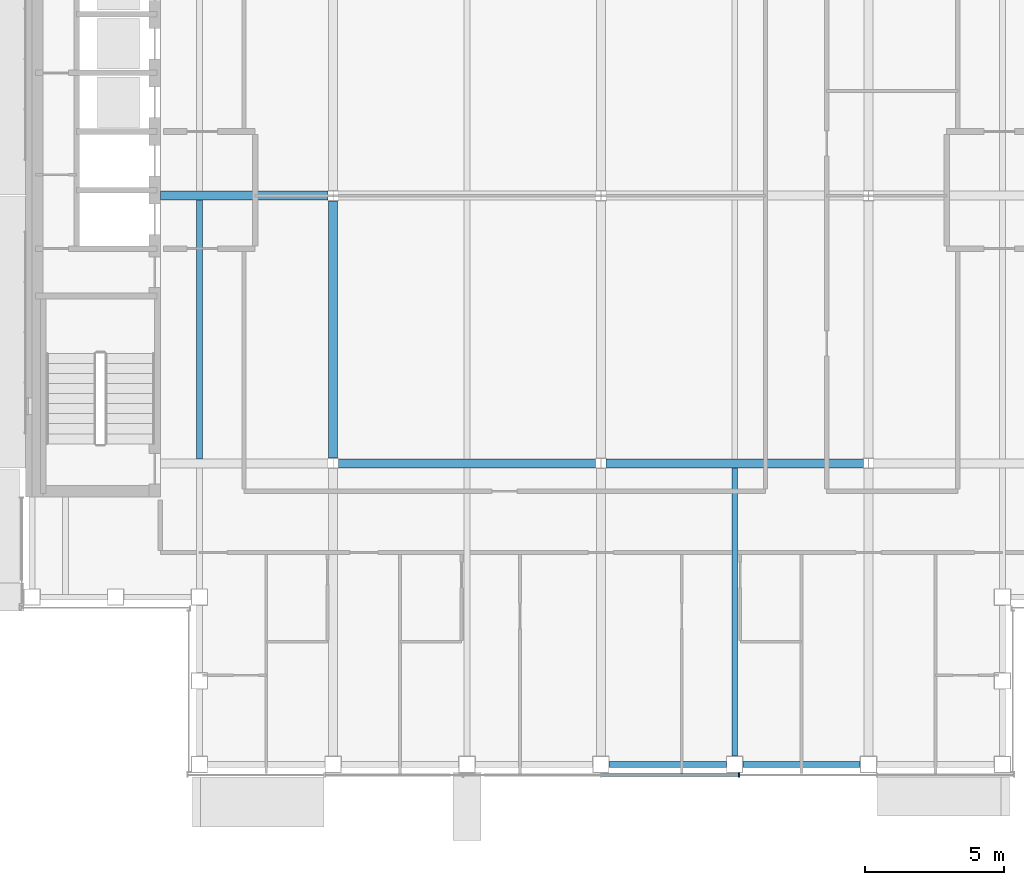
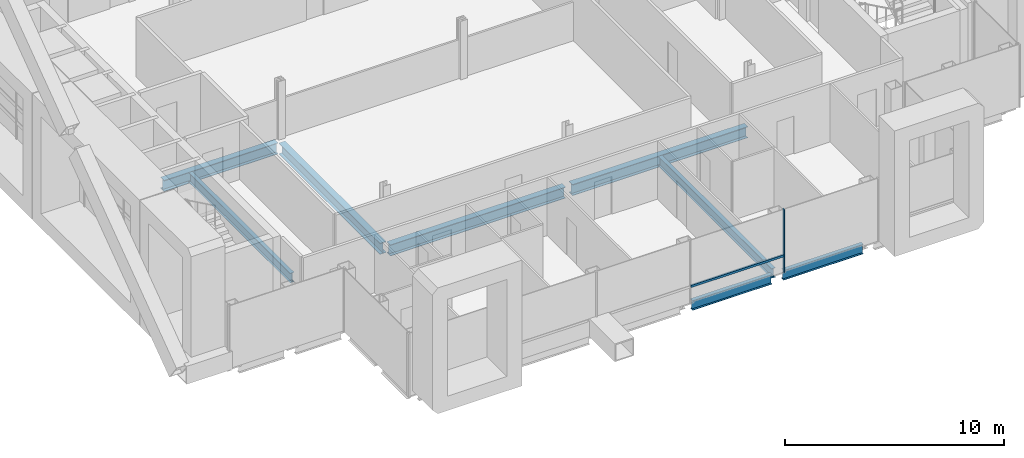
# One storey, part 5 of 23: 8 beams, 2 members, 1 element without a shape of its own.
"""IFC4 building model written with IfcOpenShell, lengths in metres."""

from ifc_helpers import new_model, si_unit, direction, frame, origin, origin_2d, place, context, subcontext, project, spatial, rectangle, i_section, extrude, material, material_profile, profile_set, type_object, element, aggregate, save


model = new_model("IFC4")

# Units and contexts
model_context = context("Model", 3, precision=1e-05, world=origin(), true_north=direction((0.0, 1.0)))
body_context = subcontext(model_context, "Body", "Model", "MODEL_VIEW")
ifc_project = project(units=[si_unit("LENGTHUNIT", "METRE"), si_unit("AREAUNIT", "SQUARE_METRE"), si_unit("VOLUMEUNIT", "CUBIC_METRE"), si_unit("PLANEANGLEUNIT", "RADIAN"), si_unit("MASSUNIT", "GRAM", prefix="KILO")], contexts=[model_context])

# Site, building, storey
site_placement = place(None, origin())
site = spatial("IfcSite", under=ifc_project, at=site_placement, CompositionType="ELEMENT")
building_placement = place(site_placement, origin())
building = spatial("IfcBuilding", under=site, at=building_placement, Name="Cobrizo Arcos Hotel Tower", CompositionType="ELEMENT")
storey_placement = place(building_placement, frame((0.0, 0.0, 262.0)))
storey = spatial("IfcBuildingStorey", under=building, at=storey_placement, Name="L69", CompositionType="ELEMENT", Elevation=262.0)

# Curtain wall, members
ifc_material_1 = material(Name="Aluminium 6063-T6 anodised bronze", Category="aluminium")
curtain_wall_type = type_object("IfcCurtainWallType", Name="CW-A guest facade", PredefinedType="NOTDEFINED", material=ifc_material_1)
curtain_wall_placement = place(storey_placement, origin())
curtain_wall = element("IfcCurtainWall", 1, at=curtain_wall_placement, inside=storey, type_object=curtain_wall_type, Name="CW-A L69 S face", PredefinedType="NOTDEFINED")
ifc_material_profile_1 = material_profile(ifc_material_1, rectangle(XDim=0.14990234375, YDim=0.06005859375, at=origin_2d()), Name="CW-A mullion 150x60")
ifc_profile_set_1 = profile_set([ifc_material_profile_1], Name="Aluminium 6063-T6 anodised bronze")
member_type_1 = type_object("IfcMemberType", Name="CW-A mullion 150x60", PredefinedType="MULLION", material=ifc_profile_set_1)
member_1_placement = place(storey_placement, frame((4.949951171875, -20.77490234375, 0.0), z_axis=(0.0, 0.0, 1.0), x_axis=(0.0, -1.0, 0.0)))
member_1 = element("IfcMember", 2, at=member_1_placement, type_object=member_type_1, Name="CW-A mullion 5", PredefinedType="MULLION", context=body_context, shape_type="SweptSolid", body=[
    extrude(rectangle(XDim=0.14990234375, YDim=0.06005859375, at=origin_2d()), origin(), (0.0, 0.0, 1.0), 3.5),
])
ifc_material_profile_2 = material_profile(ifc_material_1, rectangle(XDim=0.10009765625, YDim=0.1201171875, at=origin_2d()), Name="CW-A transom 120x100")
ifc_profile_set_2 = profile_set([ifc_material_profile_2], Name="Aluminium 6063-T6 anodised bronze")
member_type_2 = type_object("IfcMemberType", Name="CW-A transom 120x100", PredefinedType="USERDEFINED", material=ifc_profile_set_2)
member_2_placement = place(storey_placement, frame((0.030029296875, -20.77490234375, 0.929931640625), z_axis=(1.0, 0.0, 0.0), x_axis=(0.0, 1.0, 0.0)))
member_2 = element("IfcMember", 3, at=member_2_placement, type_object=member_type_2, Name="CW-A transom 2159", ObjectType="TRANSOM", PredefinedType="USERDEFINED", context=body_context, shape_type="SweptSolid", body=[
    extrude(rectangle(XDim=0.10009765625, YDim=0.1201171875, at=origin_2d()), origin(), (0.0, 0.0, 1.0), 4.889892578125),
])
aggregate(curtain_wall, [member_1, member_2])

# Beams
ifc_material_2 = material(Name="Steel ASTM A992 Grade 50", Category="steel")
ifc_material_profile_3 = material_profile(ifc_material_2, i_section(OverallWidth=0.209228515625, OverallDepth=0.533447265625, WebThickness=0.01025390625, FlangeThickness=0.015625, at=origin_2d()), Name="W21X62")
ifc_profile_set_3 = profile_set([ifc_material_profile_3], Name="Steel ASTM A992 Grade 50")
beam_type_1 = type_object("IfcBeamType", Name="W21X62 joist", PredefinedType="JOIST", material=ifc_profile_set_3)
beam_1_placement = place(storey_placement, frame((-14.39990234375, -9.43603515625, -0.416748046875), z_axis=(0.0, 1.0, 0.0), x_axis=(-1.0, 0.0, 0.0)))
element("IfcBeam", 4, at=beam_1_placement, inside=storey, type_object=beam_type_1, Name="Floor joist J1, L69, no. 004", PredefinedType="JOIST", context=body_context, shape_type="SweptSolid", body=[
    extrude(i_section(OverallWidth=0.209228515625, OverallDepth=0.533447265625, WebThickness=0.01025390625, FlangeThickness=0.015625, at=origin_2d()), origin(), (0.0, 0.0, 1.0), 9.272216796875),
])
beam_2_placement = place(storey_placement, frame((4.800048828125, -20.10009765625, -0.416748046875), z_axis=(0.0, 1.0, 0.0), x_axis=(-1.0, 0.0, 0.0)))
element("IfcBeam", 5, at=beam_2_placement, inside=storey, type_object=beam_type_1, Name="Floor joist J1, L69, no. 011", PredefinedType="JOIST", context=body_context, shape_type="SweptSolid", body=[
    extrude(i_section(OverallWidth=0.209228515625, OverallDepth=0.533447265625, WebThickness=0.01025390625, FlangeThickness=0.015625, at=origin_2d()), origin(), (0.0, 0.0, 1.0), 10.336181640625),
])
ifc_material_profile_4 = material_profile(ifc_material_2, i_section(OverallWidth=0.209228515625, OverallDepth=0.533447265625, WebThickness=0.01025390625, FlangeThickness=0.015625, at=origin_2d()), Name="W21X62")
ifc_profile_set_4 = profile_set([ifc_material_profile_4], Name="Steel ASTM A992 Grade 50")
beam_type_2 = type_object("IfcBeamType", Name="W21X62 spandrel", PredefinedType="SPANDREL", material=ifc_profile_set_4)
for number, where, z_axis, x_axis, name in (
    (6, (0.300048828125, -20.39990234375, -0.416748046875), (1.0, 0.0, 0.0), (0.0, 1.0, 0.0), "Spandrel beam W21X62, L69, no. 004"),
    (7, (5.10009765625, -20.39990234375, -0.416748046875), (1.0, 0.0, 0.0), (0.0, 1.0, 0.0), "Spandrel beam W21X62, L69, no. 005"),
):
    element("IfcBeam", number, at=place(storey_placement, frame(where, z_axis=z_axis, x_axis=x_axis)), inside=storey, type_object=beam_type_2, Name=name, PredefinedType="SPANDREL", context=body_context, shape_type="SweptSolid", body=[
        extrude(i_section(OverallWidth=0.209228515625, OverallDepth=0.533447265625, WebThickness=0.01025390625, FlangeThickness=0.015625, at=origin_2d()), origin(), (0.0, 0.0, 1.0), 4.199951171875),
    ])
ifc_material_profile_5 = material_profile(ifc_material_2, i_section(OverallWidth=0.32763671875, OverallDepth=0.622314453125, WebThickness=0.015380859375, FlangeThickness=0.0244140625, at=origin_2d()), Name="W24X131")
ifc_profile_set_5 = profile_set([ifc_material_profile_5], Name="Steel ASTM A992 Grade 50")
beam_type_3 = type_object("IfcBeamType", Name="W24X131 girder", PredefinedType="BEAM", material=ifc_profile_set_5)
for number, where, z_axis, x_axis, name in (
    (8, (-9.415771484375, -9.60009765625, -0.461181640625), (1.0, 0.0, 0.0), (0.0, 1.0, 0.0), "Floor girder G1, L69, no. 002"),
    (9, (0.18408203125, -9.60009765625, -0.461181640625), (1.0, 0.0, 0.0), (0.0, 1.0, 0.0), "Floor girder G1, L69, no. 003"),
):
    element("IfcBeam", number, at=place(storey_placement, frame(where, z_axis=z_axis, x_axis=x_axis)), inside=storey, type_object=beam_type_3, Name=name, PredefinedType="BEAM", context=body_context, shape_type="SweptSolid", body=[
        extrude(i_section(OverallWidth=0.32763671875, OverallDepth=0.622314453125, WebThickness=0.015380859375, FlangeThickness=0.0244140625, at=origin_2d()), origin(), (0.0, 0.0, 1.0), 9.231689453125),
    ])
beam_3_placement = place(storey_placement, frame((-15.7900390625, 0.0, -0.461181640625), z_axis=(1.0, 0.0, 0.0), x_axis=(0.0, 1.0, 0.0)))
element("IfcBeam", 10, at=beam_3_placement, inside=storey, type_object=beam_type_3, Name="Floor girder G1, L69, no. 005", PredefinedType="BEAM", context=body_context, shape_type="SweptSolid", body=[
    extrude(i_section(OverallWidth=0.32763671875, OverallDepth=0.622314453125, WebThickness=0.015380859375, FlangeThickness=0.0244140625, at=origin_2d()), origin(), (0.0, 0.0, 1.0), 6.005859375),
])
beam_4_placement = place(storey_placement, frame((-9.60009765625, -9.415771484375, -0.461181640625), z_axis=(0.0, 1.0, 0.0), x_axis=(-1.0, 0.0, 0.0)))
element("IfcBeam", 11, at=beam_4_placement, inside=storey, type_object=beam_type_3, Name="Floor girder G1, L69, no. 014", PredefinedType="BEAM", context=body_context, shape_type="SweptSolid", body=[
    extrude(i_section(OverallWidth=0.32763671875, OverallDepth=0.622314453125, WebThickness=0.015380859375, FlangeThickness=0.0244140625, at=origin_2d()), origin(), (0.0, 0.0, 1.0), 9.231689453125),
])

save(model, "model.ifc")
